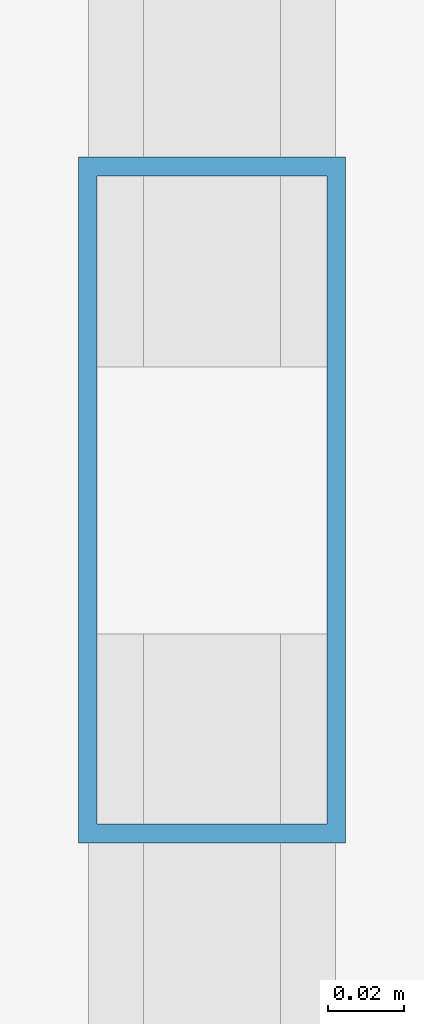
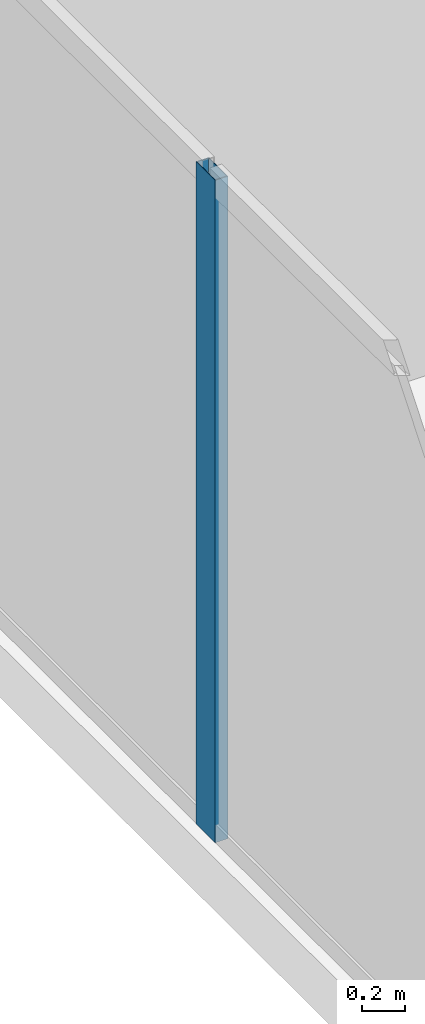
# One storey, part 8 of 34: 1 member, 1 element without a shape of its own.
"""IFC4 building model written with IfcOpenShell, lengths in metres."""

from ifc_helpers import new_model, si_unit, direction, frame, origin, origin_2d, place, context, subcontext, project, spatial, hollow_rectangle, extrude, source, transform, mapped, material, layer, layer_set, material_profile, profile_set, type_object, type_shapes, element, aggregate, save


model = new_model("IFC4")

# Units and contexts
model_context = context("Model", 3, precision=1e-05, world=origin(), true_north=direction((0.0, 1.0)))
body_context = subcontext(model_context, "Body", "Model", "MODEL_VIEW")
ifc_project = project(units=[si_unit("LENGTHUNIT", "METRE"), si_unit("AREAUNIT", "SQUARE_METRE"), si_unit("VOLUMEUNIT", "CUBIC_METRE"), si_unit("PLANEANGLEUNIT", "RADIAN"), si_unit("MASSUNIT", "GRAM", prefix="KILO")], contexts=[model_context])

# Site, building, storey
site_placement = place(None, origin())
site = spatial("IfcSite", under=ifc_project, at=site_placement, CompositionType="ELEMENT")
building_placement = place(site_placement, origin())
building = spatial("IfcBuilding", under=site, at=building_placement, Name="Haelvirn Gate Laboratories", CompositionType="ELEMENT")
storey_placement = place(building_placement, frame((0.0, 0.0, 246.5)))
storey = spatial("IfcBuildingStorey", under=building, at=storey_placement, Name="L59", CompositionType="ELEMENT", Elevation=246.5)

# Curtain wall, member
ifc_material_1 = material(Name="Anodised bronze unitised aluminium & triple low-E glass", Category="aluminium")
ifc_layer = layer(ifc_material_1, 0.176025390625, Name="CW-SYS-4")
ifc_layer_set = layer_set([ifc_layer], Name="Anodised bronze unitised aluminium & triple low-E glass")
curtain_wall_type = type_object("IfcCurtainWallType", Name="CW-SYS-4", PredefinedType="NOTDEFINED", material=ifc_layer_set)
curtain_wall_placement = place(storey_placement, origin())
curtain_wall = element("IfcCurtainWall", 1, at=curtain_wall_placement, inside=storey, type_object=curtain_wall_type, Name="L59 Unitised Curtain Wall CW-L59-P0-E17", PredefinedType="NOTDEFINED")
ifc_material_2 = material(Name="Extruded aluminium 6063-T6 (anodised bronze)", Category="aluminium")
ifc_material_profile = material_profile(ifc_material_2, hollow_rectangle(XDim=0.070068359375, YDim=0.179931640625, WallThickness=0.0048828125, at=origin_2d()), Name="CWM-180x70x5")
ifc_profile_set = profile_set([ifc_material_profile], Name="Extruded aluminium 6063-T6 (anodised bronze)")
member_type = type_object("IfcMemberType", Name="CWM-T180", PredefinedType="MULLION", material=ifc_profile_set)
shared_shape = source(origin(), body_context, "Body", "SweptSolid", [
    extrude(hollow_rectangle(XDim=0.070068359375, YDim=0.179931640625, WallThickness=0.0048828125, at=origin_2d()), origin(), (0.0, 0.0, 1.0), 3.800048828125),
])
type_shapes(member_type, [shared_shape])
member_placement = place(storey_placement, frame((4.10009765625, 24.300048828125, 0.0), z_axis=(0.0, 0.0, 1.0), x_axis=(1.0, 0.0, 0.0)))
member = element("IfcMember", 2, at=member_placement, type_object=member_type, Name="CW4 mullion 2", PredefinedType="MULLION", context=body_context, shape_type="MappedRepresentation", body=[
    mapped(shared_shape, transform((0.0, 0.0, 0.0), scale=1.0)),
])
aggregate(curtain_wall, [member])

save(model, "model.ifc")
